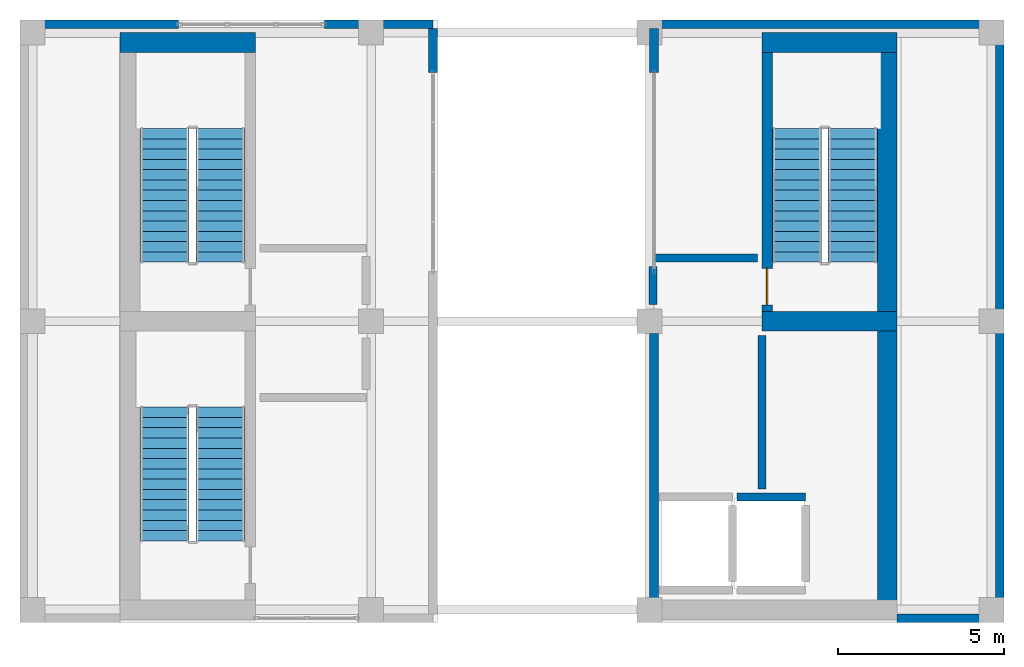
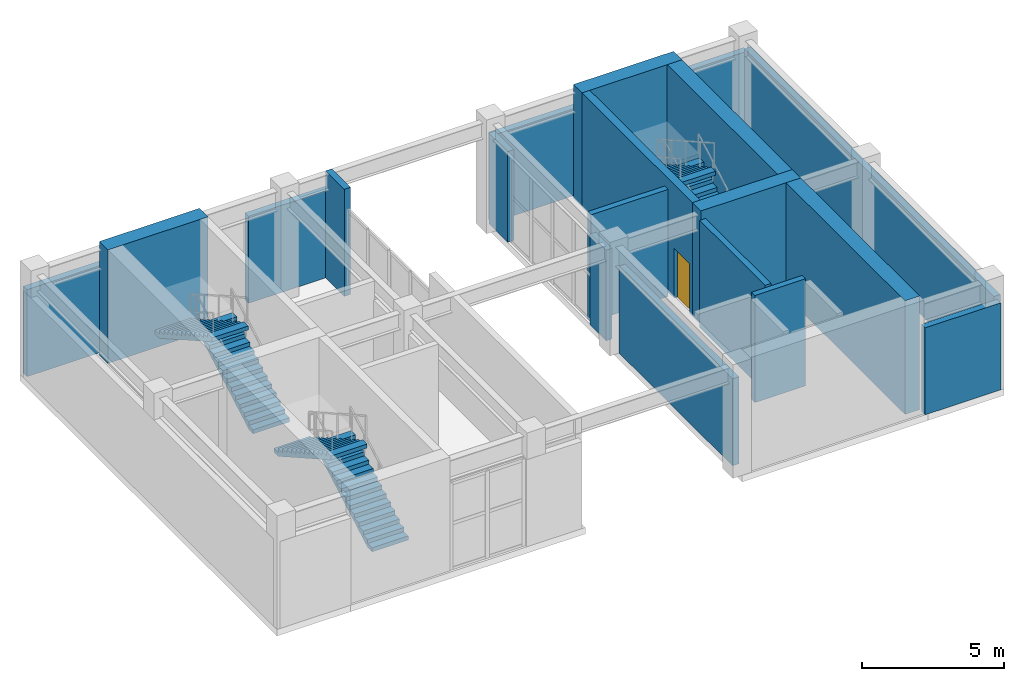
# One storey, part 10 of 11: 17 walls, 6 stair flights, 1 door, 1 opening, 3 elements without a shape of their own.
"""IFC4 building model written with IfcOpenShell, lengths in metres."""

from ifc_helpers import new_model, si_unit, direction, frame, frame_2d, origin, place, context, subcontext, project, spatial, polyline, rectangle, outline, extrude, material, layer, layer_set, type_object, element, fill, aggregate, save


model = new_model("IFC4")

# Units and contexts
model_context = context("Model", 3, precision=1e-05, world=origin(), true_north=direction((0.0, 1.0)))
body_context = subcontext(model_context, "Body", "Model", "MODEL_VIEW")
ifc_project = project(units=[si_unit("LENGTHUNIT", "METRE"), si_unit("AREAUNIT", "SQUARE_METRE"), si_unit("VOLUMEUNIT", "CUBIC_METRE"), si_unit("PLANEANGLEUNIT", "RADIAN"), si_unit("MASSUNIT", "GRAM", prefix="KILO")], contexts=[model_context])

# Site, building, storey
site_placement = place(None, origin())
site = spatial("IfcSite", under=ifc_project, at=site_placement, CompositionType="ELEMENT")
building_placement = place(site_placement, origin())
building = spatial("IfcBuilding", under=site, at=building_placement, Name="Solanera Arch Residences", CompositionType="ELEMENT")
storey_placement = place(building_placement, frame((0.0, 0.0, 287.8798828125)))
storey = spatial("IfcBuildingStorey", under=building, at=storey_placement, Name="L82", CompositionType="ELEMENT", Elevation=287.8798828125)

# Wall, opening, door
ifc_material_1 = material(Name="Concrete C40/50 (f'c = 45 MPa)", Category="concrete")
ifc_layer_1 = layer(ifc_material_1, 0.320068359375)
ifc_layer_set_1 = layer_set([ifc_layer_1], Name="Concrete C40/50 (f'c = 45 MPa)")
wall_type_1 = type_object("IfcWallType", Name="Core Shear Wall CW-320", PredefinedType="SHEAR", material=ifc_layer_set_1)
wall_1_placement = place(storey_placement, frame((32.739990234375, 31.0, 0.0), z_axis=(0.0, 0.0, 1.0), x_axis=(0.0, 1.0, 0.0)))
wall_1 = element("IfcWall", 1, at=wall_1_placement, inside=storey, type_object=wall_type_1, Name="L82 Stair ST-T2 West Shear Wall", PredefinedType="SHEAR", context=body_context, shape_type="SweptSolid", body=[
    extrude(rectangle(XDim=7.800048828125, YDim=0.320068359375, at=frame_2d((3.89990234375, 0.0))), origin(), (0.0, 0.0, 1.0), 4.900146484375),
])
opening_placement = place(wall_1_placement, frame((0.18994140625, 0.0, 0.0)))
opening = element("IfcOpeningElement", 2, at=opening_placement, cuts=wall_1, Name="Opening DF-01", PredefinedType="OPENING", context=body_context, shape_type="SweptSolid", body=[
    extrude(rectangle(XDim=1.10009765625, YDim=2.14990234375, at=frame_2d((0.550048828125, 1.074951171875))), frame((0.0, 0.169921875, 0.0), z_axis=(0.0, -1.0, 0.0), x_axis=(1.0, 0.0, 0.0)), (0.0, 0.0, 1.0), 0.3401),
])
ifc_material_2 = material(Name="Fire-Rated Architectural Hardwood", Category="wood")
door_type = type_object("IfcDoorType", Name="Stair Exit Fire Door DF-01", OperationType="NOTDEFINED", PredefinedType="DOOR", material=ifc_material_2)
door_placement = place(opening_placement, origin())
door = element("IfcDoor", 3, at=door_placement, inside=storey, type_object=door_type, Name="DR-L82-STAIR-ST-T2", OperationType="SINGLE_SWING_LEFT", OverallHeight=2.14990234375, OverallWidth=1.10009765625, PredefinedType="DOOR", context=body_context, shape_type="SweptSolid", body=[
    extrude(rectangle(XDim=1.10009765625, YDim=2.14990234375, at=frame_2d((0.550048828125, 1.074951171875))), frame((0.0, 0.02490234375, 0.0), z_axis=(0.0, -1.0, 0.0), x_axis=(1.0, 0.0, 0.0)), (0.0, 0.0, 1.0), 0.050048828125),
])
fill(opening, door)

# Walls
ifc_material_3 = material(Name="Concrete C40/50 (f'c = 45 MPa)", Category="concrete")
ifc_layer_2 = layer(ifc_material_3, 0.60009765625)
ifc_layer_set_2 = layer_set([ifc_layer_2], Name="Concrete C40/50 (f'c = 45 MPa)")
wall_type_2 = type_object("IfcWallType", Name="Core Shear Wall CW-600", PredefinedType="SHEAR", material=ifc_layer_set_2)
wall_2_placement = place(storey_placement, frame((13.239990234375, 39.10009765625, 0.0), z_axis=(0.0, 0.0, 1.0), x_axis=(1.0, 0.0, 0.0)))
element("IfcWall", 4, at=wall_2_placement, inside=storey, type_object=wall_type_2, Name="L82 North-West Core Shear Wall", PredefinedType="SHEAR", context=body_context, shape_type="SweptSolid", body=[
    extrude(rectangle(XDim=4.080078125, YDim=0.60009765625, at=frame_2d((2.0400390625, 0.0))), origin(), (0.0, 0.0, 1.0), 4.900146484375),
])
wall_3_placement = place(storey_placement, frame((36.360107421875, 22.0, 0.0), z_axis=(0.0, 0.0, 1.0), x_axis=(0.0, 1.0, 0.0)))
element("IfcWall", 5, at=wall_3_placement, inside=storey, type_object=wall_type_2, Name="L82 East Core Shear Wall", PredefinedType="SHEAR", context=body_context, shape_type="SweptSolid", body=[
    extrude(rectangle(XDim=17.39990234375, YDim=0.60009765625, at=frame_2d((8.699951171875, 0.0))), origin(), (0.0, 0.0, 1.0), 4.900146484375),
])
for number, where, z_axis, x_axis, name in (
    (6, (32.580078125, 39.10009765625, 0.0), (0.0, 0.0, 1.0), (1.0, 0.0, 0.0), "L82 North-East Core Shear Wall"),
    (7, (32.580078125, 30.699951171875, 0.0), (0.0, 0.0, 1.0), (1.0, 0.0, 0.0), "L82 East Stair Far-Landing Shear Wall"),
):
    element("IfcWall", number, at=place(storey_placement, frame(where, z_axis=z_axis, x_axis=x_axis)), inside=storey, type_object=wall_type_2, Name=name, PredefinedType="SHEAR", context=body_context, shape_type="SweptSolid", body=[
        extrude(rectangle(XDim=4.079833984375, YDim=0.60009765625, at=frame_2d((2.0400390625, 0.0))), origin(), (0.0, 0.0, 1.0), 4.900146484375),
    ])
ifc_material_4 = material(Name="Precast Concrete C35/45", Category="concrete")
ifc_layer_3 = layer(ifc_material_4, 0.260009765625)
ifc_layer_set_3 = layer_set([ifc_layer_3], Name="Precast Concrete C35/45")
wall_type_3 = type_object("IfcWallType", Name="Exterior Wall Precast Masonry-Frame 260", PredefinedType="STANDARD", material=ifc_layer_set_3)
wall_4_placement = place(storey_placement, frame((10.35009765625, 39.64990234375, 0.0), z_axis=(0.0, 0.0, 1.0), x_axis=(1.0, 0.0, 0.0)))
element("IfcWall", 8, at=wall_4_placement, inside=storey, type_object=wall_type_3, Name="L82 W Crown North Pier 1", PredefinedType="STANDARD", context=body_context, shape_type="SweptSolid", body=[
    extrude(rectangle(XDim=4.64990234375, YDim=0.260009765625, at=frame_2d((2.324951171875, 0.0))), origin(), (0.0, 0.0, 1.0), 3.754150390625),
])
wall_5_placement = place(storey_placement, frame((19.39990234375, 39.64990234375, 0.0), z_axis=(0.0, 0.0, 1.0), x_axis=(1.0, 0.0, 0.0)))
element("IfcWall", 9, at=wall_5_placement, inside=storey, type_object=wall_type_3, Name="L82 W Crown North Pier 2", PredefinedType="STANDARD", context=body_context, shape_type="SweptSolid", body=[
    extrude(rectangle(XDim=3.27001953125, YDim=0.260009765625, at=frame_2d((1.635009765625, 0.0))), origin(), (0.0, 0.0, 1.0), 3.754150390625),
])
wall_6_placement = place(storey_placement, frame((22.669921875, 38.199951171875, 0.0), z_axis=(0.0, 0.0, 1.0), x_axis=(0.0, 1.0, 0.0)))
element("IfcWall", 10, at=wall_6_placement, inside=storey, type_object=wall_type_3, Name="L82 W Cleft Cheek North Wall", PredefinedType="STANDARD", context=body_context, shape_type="SweptSolid", body=[
    extrude(rectangle(XDim=1.320068359375, YDim=0.260009765625, at=frame_2d((0.66015625, 0.0))), origin(), (0.0, 0.0, 1.0), 4.6201171875),
])
wall_7_placement = place(storey_placement, frame((39.75, 21.75, 0.0), z_axis=(0.0, 0.0, 1.0), x_axis=(-1.0, 0.0, 0.0)))
element("IfcWall", 11, at=wall_7_placement, inside=storey, type_object=wall_type_3, Name="L82 E Crown Peak South Precast Wall", PredefinedType="STANDARD", context=body_context, shape_type="SweptSolid", body=[
    extrude(rectangle(XDim=3.090087890625, YDim=0.260009765625, at=frame_2d((1.544921875, 0.0))), origin(), (0.0, 0.0, 1.0), 3.754150390625),
])
wall_8_placement = place(storey_placement, frame((29.330078125, 39.64990234375, 0.0), z_axis=(0.0, 0.0, 1.0), x_axis=(1.0, 0.0, 0.0)))
element("IfcWall", 12, at=wall_8_placement, inside=storey, type_object=wall_type_3, Name="L82 E Crown Peak North Precast Wall", PredefinedType="STANDARD", context=body_context, shape_type="SweptSolid", body=[
    extrude(rectangle(XDim=10.419921875, YDim=0.260009765625, at=frame_2d((5.2099609375, 0.0))), origin(), (0.0, 0.0, 1.0), 3.754150390625),
])
wall_9_placement = place(storey_placement, frame((39.75, 39.52001953125, 0.0), z_axis=(0.0, 0.0, 1.0), x_axis=(0.0, -1.0, 0.0)))
element("IfcWall", 13, at=wall_9_placement, inside=storey, type_object=wall_type_3, Name="L82 E Crown Peak Outer Precast Wall", PredefinedType="STANDARD", context=body_context, shape_type="SweptSolid", body=[
    extrude(rectangle(XDim=17.64013671875, YDim=0.260009765625, at=frame_2d((8.820068359375, 0.0))), origin(), (0.0, 0.0, 1.0), 3.912109375),
])
wall_10_placement = place(storey_placement, frame((29.330078125, 22.300048828125, 0.0), z_axis=(0.0, 0.0, 1.0), x_axis=(0.0, 1.0, 0.0)))
element("IfcWall", 14, at=wall_10_placement, inside=storey, type_object=wall_type_3, Name="L82 E Cleft Cheek South Wall", PredefinedType="STANDARD", context=body_context, shape_type="SweptSolid", body=[
    extrude(rectangle(XDim=8.02490234375, YDim=0.260009765625, at=frame_2d((4.012451171875, 0.0))), origin(), (0.0, 0.0, 1.0), 3.754150390625),
])
wall_11_placement = place(storey_placement, frame((29.330078125, 38.199951171875, 0.0), z_axis=(0.0, 0.0, 1.0), x_axis=(0.0, 1.0, 0.0)))
element("IfcWall", 15, at=wall_11_placement, inside=storey, type_object=wall_type_3, Name="L82 E Cleft Cheek North Wall", PredefinedType="STANDARD", context=body_context, shape_type="SweptSolid", body=[
    extrude(rectangle(XDim=1.320068359375, YDim=0.260009765625, at=frame_2d((0.66015625, 0.0))), origin(), (0.0, 0.0, 1.0), 3.912109375),
])
ifc_material_5 = material(Name="Autoclaved Aerated Concrete Blockwork", Category="masonry")
ifc_layer_4 = layer(ifc_material_5, 0.239990234375)
ifc_layer_set_4 = layer_set([ifc_layer_4], Name="Autoclaved Aerated Concrete Blockwork")
wall_type_4 = type_object("IfcWallType", Name="Shaft Wall Fire-Rated 240", PredefinedType="PARTITIONING", material=ifc_layer_set_4)
wall_12_placement = place(storey_placement, frame((31.827880859375, 25.39990234375, 0.0), z_axis=(0.0, 0.0, 1.0), x_axis=(1.0, 0.0, 0.0)))
element("IfcWall", 16, at=wall_12_placement, inside=storey, type_object=wall_type_4, Name="L82 Lift FFL-2 Hoistway Wall N", PredefinedType="PARTITIONING", context=body_context, shape_type="SweptSolid", body=[
    extrude(rectangle(XDim=2.072021484375, YDim=0.239990234375, at=frame_2d((1.0361328125, 0.0))), origin(), (0.0, 0.0, 1.0), 4.6201171875),
])
wall_13_placement = place(storey_placement, frame((29.300048828125, 32.60009765625, 0.0), z_axis=(0.0, 0.0, 1.0), x_axis=(1.0, 0.0, 0.0)))
element("IfcWall", 17, at=wall_13_placement, inside=storey, type_object=wall_type_4, Name="L82 Interior Partition H3", PredefinedType="PARTITIONING", context=body_context, shape_type="SweptSolid", body=[
    extrude(rectangle(XDim=3.14990234375, YDim=0.239990234375, at=frame_2d((1.574951171875, 0.0))), origin(), (0.0, 0.0, 1.0), 4.6201171875),
])
wall_14_placement = place(storey_placement, frame((29.300048828125, 31.20703125, 0.0), z_axis=(0.0, 0.0, 1.0), x_axis=(0.0, 1.0, 0.0)))
element("IfcWall", 18, at=wall_14_placement, inside=storey, type_object=wall_type_4, Name="L82 Interior Partition V3", PredefinedType="PARTITIONING", context=body_context, shape_type="SweptSolid", body=[
    extrude(rectangle(XDim=1.14501953125, YDim=0.239990234375, at=frame_2d((0.572509765625, 0.0))), origin(), (0.0, 0.0, 1.0), 3.912109375),
])
wall_15_placement = place(storey_placement, frame((32.580078125, 25.64794921875, 0.0), z_axis=(0.0, 0.0, 1.0), x_axis=(0.0, 1.0, 0.0)))
element("IfcWall", 19, at=wall_15_placement, inside=storey, type_object=wall_type_4, Name="L82 Interior Partition V4", PredefinedType="PARTITIONING", context=body_context, shape_type="SweptSolid", body=[
    extrude(rectangle(XDim=4.6220703125, YDim=0.239990234375, at=frame_2d((2.31103515625, 0.0))), origin(), (0.0, 0.0, 1.0), 4.6201171875),
])

# Stair, stair flights
ifc_material_6 = material(Name="Concrete C40/50 (f'c = 45 MPa)", Category="concrete")
stair_type = type_object("IfcStairType", Name="Tower Dogleg Exit Stair 1480", PredefinedType="HALF_TURN_STAIR", material=ifc_material_6)
stair_1_placement = place(storey_placement, origin())
stair_1 = element("IfcStair", 20, at=stair_1_placement, inside=storey, type_object=stair_type, Name="L82 Tower Core Exit Stair 1", PredefinedType="HALF_TURN_STAIR")
ifc_material_7 = material(Name="Concrete C40/50 (f'c = 45 MPa)", Category="concrete")
stair_flight_type = type_object("IfcStairFlightType", Name="Tower Precast Stair Flight 1480", PredefinedType="STRAIGHT", material=ifc_material_7)
stair_flight_1_placement = place(storey_placement, frame((16.260009765625, 32.47998046875, 0.0), z_axis=(0.0, 0.0, 1.0), x_axis=(0.0, 1.0, 0.0)))
stair_flight_1 = element("IfcStairFlight", 21, at=stair_flight_1_placement, type_object=stair_flight_type, Name="ST-T1 flight 1", NumberOfRisers=14, NumberOfTreads=13, PredefinedType="STRAIGHT", RiserHeight=0.175, TreadLength=0.31, context=body_context, shape_type="SweptSolid", body=[
    extrude(outline(polyline([(0.0, 0.0), (0.0, 0.175048828125), (0.31005859375, 0.175048828125), (0.31005859375, 0.35009765625), (0.6201171875, 0.35009765625), (0.6201171875, 0.52490234375), (0.929931640625, 0.52490234375), (0.929931640625, 0.699951171875), (1.239990234375, 0.699951171875), (1.239990234375, 0.875), (1.550048828125, 0.875), (1.550048828125, 1.050048828125), (1.860107421875, 1.050048828125), (1.860107421875, 1.22509765625), (2.169921875, 1.22509765625), (2.169921875, 1.39990234375), (2.47998046875, 1.39990234375), (2.47998046875, 1.574951171875), (2.7900390625, 1.574951171875), (2.7900390625, 1.75), (3.10009765625, 1.75), (3.10009765625, 1.925048828125), (3.409912109375, 1.925048828125), (3.409912109375, 2.10009765625), (3.719970703125, 2.10009765625), (3.719970703125, 2.27490234375), (4.030029296875, 2.27490234375), (4.030029296875, 2.449951171875), (4.030029296875, 2.102783203125), (0.304931640625, 0.0), (0.0, 0.0)])), frame((0.0, 0.739990234375, 0.0), z_axis=(0.0, -1.0, 0.0), x_axis=(1.0, 0.0, 0.0)), (0.0, 0.0, 1.0), 1.47998046875),
])
stair_flight_2_placement = place(storey_placement, frame((14.580078125, 36.510009765625, 2.4501953125), z_axis=(0.0, 0.0, 1.0), x_axis=(0.0, -1.0, 0.0)))
stair_flight_2 = element("IfcStairFlight", 22, at=stair_flight_2_placement, type_object=stair_flight_type, Name="ST-T1 flight 2", NumberOfRisers=14, NumberOfTreads=13, PredefinedType="STRAIGHT", RiserHeight=0.175, TreadLength=0.31, context=body_context, shape_type="SweptSolid", body=[
    extrude(outline(polyline([(0.0, 0.0), (0.0, 0.175048828125), (0.31005859375, 0.175048828125), (0.31005859375, 0.35009765625), (0.6201171875, 0.35009765625), (0.6201171875, 0.52490234375), (0.929931640625, 0.52490234375), (0.929931640625, 0.699951171875), (1.239990234375, 0.699951171875), (1.239990234375, 0.875), (1.550048828125, 0.875), (1.550048828125, 1.050048828125), (1.860107421875, 1.050048828125), (1.860107421875, 1.22509765625), (2.169921875, 1.22509765625), (2.169921875, 1.39990234375), (2.47998046875, 1.39990234375), (2.47998046875, 1.574951171875), (2.7900390625, 1.574951171875), (2.7900390625, 1.75), (3.10009765625, 1.75), (3.10009765625, 1.925048828125), (3.409912109375, 1.925048828125), (3.409912109375, 2.10009765625), (3.719970703125, 2.10009765625), (3.719970703125, 2.27490234375), (4.030029296875, 2.27490234375), (4.030029296875, 2.449951171875), (4.030029296875, 2.102783203125), (0.304931640625, 0.0), (0.0, 0.0)])), frame((0.0, 0.739990234375, 0.0), z_axis=(0.0, -1.0, 0.0), x_axis=(1.0, 0.0, 0.0)), (0.0, 0.0, 1.0), 1.47998046875),
])
aggregate(stair_1, [stair_flight_1, stair_flight_2])

stair_2_placement = place(storey_placement, origin())
stair_2 = element("IfcStair", 23, at=stair_2_placement, inside=storey, type_object=stair_type, Name="L82 Tower Core Exit Stair 2", PredefinedType="HALF_TURN_STAIR")
stair_flight_3_placement = place(storey_placement, frame((35.320068359375, 32.47998046875, 0.0), z_axis=(0.0, 0.0, 1.0), x_axis=(0.0, 1.0, 0.0)))
stair_flight_3 = element("IfcStairFlight", 24, at=stair_flight_3_placement, type_object=stair_flight_type, Name="ST-T2 flight 1", NumberOfRisers=14, NumberOfTreads=13, PredefinedType="STRAIGHT", RiserHeight=0.175, TreadLength=0.31, context=body_context, shape_type="SweptSolid", body=[
    extrude(outline(polyline([(0.0, 0.0), (0.0, 0.175048828125), (0.31005859375, 0.175048828125), (0.31005859375, 0.35009765625), (0.6201171875, 0.35009765625), (0.6201171875, 0.52490234375), (0.929931640625, 0.52490234375), (0.929931640625, 0.699951171875), (1.239990234375, 0.699951171875), (1.239990234375, 0.875), (1.550048828125, 0.875), (1.550048828125, 1.050048828125), (1.860107421875, 1.050048828125), (1.860107421875, 1.22509765625), (2.169921875, 1.22509765625), (2.169921875, 1.39990234375), (2.47998046875, 1.39990234375), (2.47998046875, 1.574951171875), (2.7900390625, 1.574951171875), (2.7900390625, 1.75), (3.10009765625, 1.75), (3.10009765625, 1.925048828125), (3.409912109375, 1.925048828125), (3.409912109375, 2.10009765625), (3.719970703125, 2.10009765625), (3.719970703125, 2.27490234375), (4.030029296875, 2.27490234375), (4.030029296875, 2.449951171875), (4.030029296875, 2.102783203125), (0.304931640625, 0.0), (0.0, 0.0)])), frame((0.0, 0.739990234375, 0.0), z_axis=(0.0, -1.0, 0.0), x_axis=(1.0, 0.0, 0.0)), (0.0, 0.0, 1.0), 1.47998046875),
])
stair_flight_4_placement = place(storey_placement, frame((33.639892578125, 36.510009765625, 2.4501953125), z_axis=(0.0, 0.0, 1.0), x_axis=(0.0, -1.0, 0.0)))
stair_flight_4 = element("IfcStairFlight", 25, at=stair_flight_4_placement, type_object=stair_flight_type, Name="ST-T2 flight 2", NumberOfRisers=14, NumberOfTreads=13, PredefinedType="STRAIGHT", RiserHeight=0.175, TreadLength=0.31, context=body_context, shape_type="SweptSolid", body=[
    extrude(outline(polyline([(0.0, 0.0), (0.0, 0.175048828125), (0.31005859375, 0.175048828125), (0.31005859375, 0.35009765625), (0.6201171875, 0.35009765625), (0.6201171875, 0.52490234375), (0.929931640625, 0.52490234375), (0.929931640625, 0.699951171875), (1.239990234375, 0.699951171875), (1.239990234375, 0.875), (1.550048828125, 0.875), (1.550048828125, 1.050048828125), (1.860107421875, 1.050048828125), (1.860107421875, 1.22509765625), (2.169921875, 1.22509765625), (2.169921875, 1.39990234375), (2.47998046875, 1.39990234375), (2.47998046875, 1.574951171875), (2.7900390625, 1.574951171875), (2.7900390625, 1.75), (3.10009765625, 1.75), (3.10009765625, 1.925048828125), (3.409912109375, 1.925048828125), (3.409912109375, 2.10009765625), (3.719970703125, 2.10009765625), (3.719970703125, 2.27490234375), (4.030029296875, 2.27490234375), (4.030029296875, 2.449951171875), (4.030029296875, 2.102783203125), (0.304931640625, 0.0), (0.0, 0.0)])), frame((0.0, 0.739990234375, 0.0), z_axis=(0.0, -1.0, 0.0), x_axis=(1.0, 0.0, 0.0)), (0.0, 0.0, 1.0), 1.47998046875),
])
aggregate(stair_2, [stair_flight_3, stair_flight_4])

stair_3_placement = place(storey_placement, origin())
stair_3 = element("IfcStair", 26, at=stair_3_placement, inside=storey, type_object=stair_type, Name="L82 Tower Core Exit Stair 3", PredefinedType="HALF_TURN_STAIR")
stair_flight_5_placement = place(storey_placement, frame((16.260009765625, 24.080078125, 0.0), z_axis=(0.0, 0.0, 1.0), x_axis=(0.0, 1.0, 0.0)))
stair_flight_5 = element("IfcStairFlight", 27, at=stair_flight_5_placement, type_object=stair_flight_type, Name="ST-T3 flight 1", NumberOfRisers=14, NumberOfTreads=13, PredefinedType="STRAIGHT", RiserHeight=0.175, TreadLength=0.31, context=body_context, shape_type="SweptSolid", body=[
    extrude(outline(polyline([(0.0, 0.0), (0.0, 0.175048828125), (0.31005859375, 0.175048828125), (0.31005859375, 0.35009765625), (0.6201171875, 0.35009765625), (0.6201171875, 0.52490234375), (0.929931640625, 0.52490234375), (0.929931640625, 0.699951171875), (1.239990234375, 0.699951171875), (1.239990234375, 0.875), (1.550048828125, 0.875), (1.550048828125, 1.050048828125), (1.860107421875, 1.050048828125), (1.860107421875, 1.22509765625), (2.169921875, 1.22509765625), (2.169921875, 1.39990234375), (2.47998046875, 1.39990234375), (2.47998046875, 1.574951171875), (2.7900390625, 1.574951171875), (2.7900390625, 1.75), (3.10009765625, 1.75), (3.10009765625, 1.925048828125), (3.409912109375, 1.925048828125), (3.409912109375, 2.10009765625), (3.719970703125, 2.10009765625), (3.719970703125, 2.27490234375), (4.030029296875, 2.27490234375), (4.030029296875, 2.449951171875), (4.030029296875, 2.102783203125), (0.304931640625, 0.0), (0.0, 0.0)])), frame((0.0, 0.739990234375, 0.0), z_axis=(0.0, -1.0, 0.0), x_axis=(1.0, 0.0, 0.0)), (0.0, 0.0, 1.0), 1.47998046875),
])
stair_flight_6_placement = place(storey_placement, frame((14.580078125, 28.110107421875, 2.4501953125), z_axis=(0.0, 0.0, 1.0), x_axis=(0.0, -1.0, 0.0)))
stair_flight_6 = element("IfcStairFlight", 28, at=stair_flight_6_placement, type_object=stair_flight_type, Name="ST-T3 flight 2", NumberOfRisers=14, NumberOfTreads=13, PredefinedType="STRAIGHT", RiserHeight=0.175, TreadLength=0.31, context=body_context, shape_type="SweptSolid", body=[
    extrude(outline(polyline([(0.0, 0.0), (0.0, 0.175048828125), (0.31005859375, 0.175048828125), (0.31005859375, 0.35009765625), (0.6201171875, 0.35009765625), (0.6201171875, 0.52490234375), (0.929931640625, 0.52490234375), (0.929931640625, 0.699951171875), (1.239990234375, 0.699951171875), (1.239990234375, 0.875), (1.550048828125, 0.875), (1.550048828125, 1.050048828125), (1.860107421875, 1.050048828125), (1.860107421875, 1.22509765625), (2.169921875, 1.22509765625), (2.169921875, 1.39990234375), (2.47998046875, 1.39990234375), (2.47998046875, 1.574951171875), (2.7900390625, 1.574951171875), (2.7900390625, 1.75), (3.10009765625, 1.75), (3.10009765625, 1.925048828125), (3.409912109375, 1.925048828125), (3.409912109375, 2.10009765625), (3.719970703125, 2.10009765625), (3.719970703125, 2.27490234375), (4.030029296875, 2.27490234375), (4.030029296875, 2.449951171875), (4.030029296875, 2.102783203125), (0.304931640625, 0.0), (0.0, 0.0)])), frame((0.0, 0.739990234375, 0.0), z_axis=(0.0, -1.0, 0.0), x_axis=(1.0, 0.0, 0.0)), (0.0, 0.0, 1.0), 1.47998046875),
])
aggregate(stair_3, [stair_flight_5, stair_flight_6])

save(model, "model.ifc")
